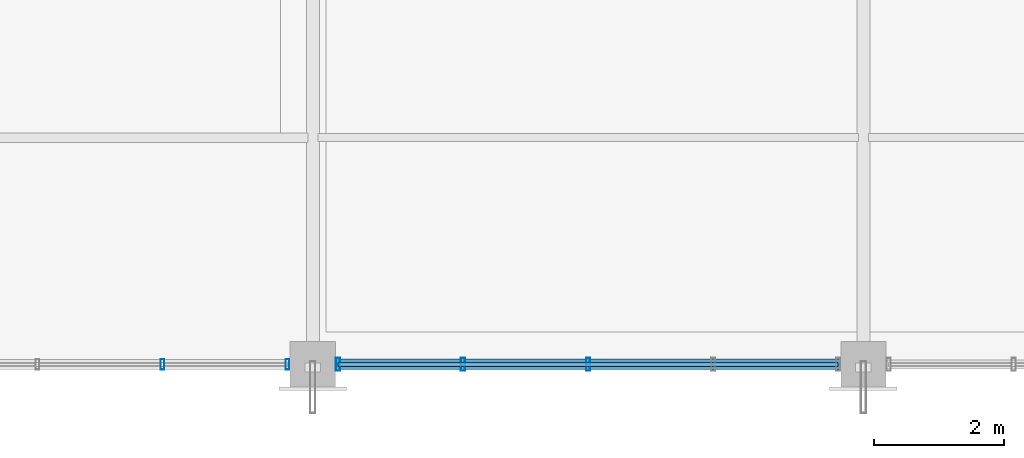
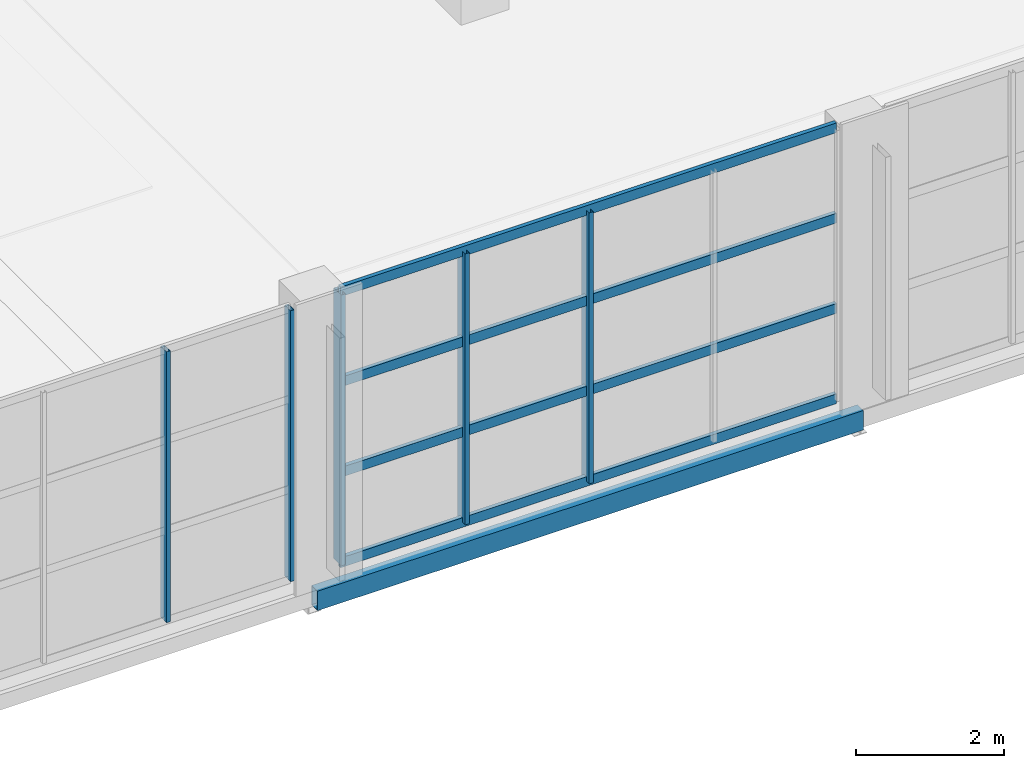
# One storey, part 10 of 101: 9 members, 1 beam, 2 elements without a shape of their own.
"""IFC4 building model written with IfcOpenShell, lengths in metres."""

from ifc_helpers import new_model, si_unit, direction, frame, origin, origin_2d, place, context, subcontext, project, spatial, hollow_rectangle, extrude, material, material_profile, profile_set, type_object, element, aggregate, save


model = new_model("IFC4")

# Units and contexts
model_context = context("Model", 3, precision=1e-05, world=origin(), true_north=direction((0.0, 1.0)))
body_context = subcontext(model_context, "Body", "Model", "MODEL_VIEW")
ifc_project = project(units=[si_unit("LENGTHUNIT", "METRE"), si_unit("AREAUNIT", "SQUARE_METRE"), si_unit("VOLUMEUNIT", "CUBIC_METRE"), si_unit("PLANEANGLEUNIT", "RADIAN"), si_unit("MASSUNIT", "GRAM", prefix="KILO")], contexts=[model_context])

# Site, building, storey
site_placement = place(None, origin())
site = spatial("IfcSite", under=ifc_project, at=site_placement, CompositionType="ELEMENT")
building_placement = place(site_placement, origin())
building = spatial("IfcBuilding", under=site, at=building_placement, Name="Solvikara Media Centre", CompositionType="ELEMENT")
storey_placement = place(building_placement, frame((0.0, 0.0, 10.199951171875)))
storey = spatial("IfcBuildingStorey", under=building, at=storey_placement, Name="L02", CompositionType="ELEMENT", Elevation=10.199951171875)

# Beam
ifc_material_1 = material(Name="Steel S355JR", Category="steel")
ifc_material_profile_1 = material_profile(ifc_material_1, hollow_rectangle(XDim=0.159912109375, YDim=0.320068359375, WallThickness=0.010009765625, at=origin_2d()), Name="RHS 320x160x10")
ifc_profile_set_1 = profile_set([ifc_material_profile_1], Name="Steel S355JR")
beam_type = type_object("IfcBeamType", Name="BM-45", PredefinedType="SPANDREL", material=ifc_profile_set_1)
beam_placement = place(storey_placement, frame((34.0, 0.0, -0.44189453125), z_axis=(1.0, 0.0, 0.0), x_axis=(0.0, 1.0, 0.0)))
element("IfcBeam", 1, at=beam_placement, inside=storey, type_object=beam_type, Name="B-L02-X0823", PredefinedType="SPANDREL", context=body_context, shape_type="SweptSolid", body=[
    extrude(hollow_rectangle(XDim=0.159912109375, YDim=0.320068359375, WallThickness=0.010009765625, at=origin_2d()), origin(), (0.0, 0.0, 1.0), 8.5),
])

# Curtain wall, members
ifc_material_2 = material(Name="Anodised aluminium EN AW-6063", Category="aluminium")
curtain_wall_type_1 = type_object("IfcCurtainWallType", Name="CW-04", PredefinedType="NOTDEFINED", material=ifc_material_2)
curtain_wall_1_placement = place(storey_placement, origin())
curtain_wall_1 = element("IfcCurtainWall", 2, at=curtain_wall_1_placement, inside=storey, type_object=curtain_wall_type_1, Name="CW-L02-V6S-1", PredefinedType="NOTDEFINED")
ifc_material_profile_2 = material_profile(ifc_material_2, hollow_rectangle(XDim=0.06494140625, YDim=0.199951171875, WallThickness=0.00390625, at=origin_2d()), Name="ALU-M 65x200x4")
ifc_profile_set_2 = profile_set([ifc_material_profile_2], Name="Anodised aluminium EN AW-6063")
member_type_1 = type_object("IfcMemberType", Name="MF-02", PredefinedType="MULLION", material=ifc_profile_set_2)
member_1_placement = place(storey_placement, frame((34.389892578125, 0.0, 0.02001953125), z_axis=(0.0, 0.0, 1.0), x_axis=(1.0, 0.0, 0.0)))
member_1 = element("IfcMember", 3, at=member_1_placement, type_object=member_type_1, Name="CW-L02-V6S-1-M00", PredefinedType="MULLION", context=body_context, shape_type="SweptSolid", body=[
    extrude(hollow_rectangle(XDim=0.06494140625, YDim=0.199951171875, WallThickness=0.00390625, at=origin_2d()), origin(), (0.0, 0.0, 1.0), 4.4599609375),
])
member_2_placement = place(storey_placement, frame((36.320068359375, 0.0, 0.02001953125), z_axis=(0.0, 0.0, 1.0), x_axis=(1.0, 0.0, 0.0)))
member_2 = element("IfcMember", 4, at=member_2_placement, type_object=member_type_1, Name="CW-L02-V6S-1-M01", PredefinedType="MULLION", context=body_context, shape_type="SweptSolid", body=[
    extrude(hollow_rectangle(XDim=0.06494140625, YDim=0.199951171875, WallThickness=0.00390625, at=origin_2d()), origin(), (0.0, 0.0, 1.0), 4.4599609375),
])
member_3_placement = place(storey_placement, frame((38.25, 0.0, 0.02001953125), z_axis=(0.0, 0.0, 1.0), x_axis=(1.0, 0.0, 0.0)))
member_3 = element("IfcMember", 5, at=member_3_placement, type_object=member_type_1, Name="CW-L02-V6S-1-M02", PredefinedType="MULLION", context=body_context, shape_type="SweptSolid", body=[
    extrude(hollow_rectangle(XDim=0.06494140625, YDim=0.199951171875, WallThickness=0.00390625, at=origin_2d()), origin(), (0.0, 0.0, 1.0), 4.4599609375),
])

curtain_wall_type_2 = type_object("IfcCurtainWallType", Name="CW-07", PredefinedType="NOTDEFINED", material=ifc_material_2)
curtain_wall_2_placement = place(storey_placement, origin())
curtain_wall_2 = element("IfcCurtainWall", 6, at=curtain_wall_2_placement, inside=storey, type_object=curtain_wall_type_2, Name="CW-L02-V1SE", PredefinedType="NOTDEFINED")
ifc_material_profile_3 = material_profile(ifc_material_2, hollow_rectangle(XDim=0.06005859375, YDim=0.159912109375, WallThickness=0.00341796875, at=origin_2d()), Name="ALU-M 60x160x3.5")
ifc_profile_set_3 = profile_set([ifc_material_profile_3], Name="Anodised aluminium EN AW-6063")
member_type_2 = type_object("IfcMemberType", Name="MF-04", PredefinedType="MULLION", material=ifc_profile_set_3)
member_4_placement = place(storey_placement, frame((31.679931640625, 0.0, 0.02001953125), z_axis=(0.0, 0.0, 1.0), x_axis=(1.0, 0.0, 0.0)))
member_4 = element("IfcMember", 7, at=member_4_placement, type_object=member_type_2, Name="CW-L02-V1SE-M03", PredefinedType="MULLION", context=body_context, shape_type="SweptSolid", body=[
    extrude(hollow_rectangle(XDim=0.06005859375, YDim=0.159912109375, WallThickness=0.00341796875, at=origin_2d()), origin(), (0.0, 0.0, 1.0), 4.4599609375),
])
member_5_placement = place(storey_placement, frame((33.610107421875, 0.0, 0.02001953125), z_axis=(0.0, 0.0, 1.0), x_axis=(1.0, 0.0, 0.0)))
member_5 = element("IfcMember", 8, at=member_5_placement, type_object=member_type_2, Name="CW-L02-V1SE-M04", PredefinedType="MULLION", context=body_context, shape_type="SweptSolid", body=[
    extrude(hollow_rectangle(XDim=0.06005859375, YDim=0.159912109375, WallThickness=0.00341796875, at=origin_2d()), origin(), (0.0, 0.0, 1.0), 4.4599609375),
])
aggregate(curtain_wall_2, [member_4, member_5])

# Member
ifc_material_profile_4 = material_profile(ifc_material_2, hollow_rectangle(XDim=0.06494140625, YDim=0.159912109375, WallThickness=0.00341796875, at=origin_2d()), Name="ALU-T 65x160x3.5")
ifc_profile_set_4 = profile_set([ifc_material_profile_4], Name="Anodised aluminium EN AW-6063")
member_type_3 = type_object("IfcMemberType", Name="MF-08", PredefinedType="USERDEFINED", material=ifc_profile_set_4)
member_6_placement = place(storey_placement, frame((34.389892578125, 0.0, 0.02001953125), z_axis=(1.0, 0.0, 0.0), x_axis=(0.0, 1.0, 0.0)))
member_6 = element("IfcMember", 9, at=member_6_placement, type_object=member_type_3, Name="CW-L02-V6S-1-T00", ObjectType="TRANSOM", PredefinedType="USERDEFINED", context=body_context, shape_type="SweptSolid", body=[
    extrude(hollow_rectangle(XDim=0.06494140625, YDim=0.159912109375, WallThickness=0.00341796875, at=origin_2d()), origin(), (0.0, 0.0, 1.0), 7.72021484375),
])

member_7_placement = place(storey_placement, frame((34.389892578125, 0.0, 1.507080078125), z_axis=(1.0, 0.0, 0.0), x_axis=(0.0, 1.0, 0.0)))
member_7 = element("IfcMember", 10, at=member_7_placement, type_object=member_type_3, Name="CW-L02-V6S-1-T01", ObjectType="TRANSOM", PredefinedType="USERDEFINED", context=body_context, shape_type="SweptSolid", body=[
    extrude(hollow_rectangle(XDim=0.06494140625, YDim=0.159912109375, WallThickness=0.00341796875, at=origin_2d()), origin(), (0.0, 0.0, 1.0), 7.72021484375),
])

member_8_placement = place(storey_placement, frame((34.389892578125, 0.0, 2.9931640625), z_axis=(1.0, 0.0, 0.0), x_axis=(0.0, 1.0, 0.0)))
member_8 = element("IfcMember", 11, at=member_8_placement, type_object=member_type_3, Name="CW-L02-V6S-1-T02", ObjectType="TRANSOM", PredefinedType="USERDEFINED", context=body_context, shape_type="SweptSolid", body=[
    extrude(hollow_rectangle(XDim=0.06494140625, YDim=0.159912109375, WallThickness=0.00341796875, at=origin_2d()), origin(), (0.0, 0.0, 1.0), 7.72021484375),
])

member_9_placement = place(storey_placement, frame((34.389892578125, 0.0, 4.47998046875), z_axis=(1.0, 0.0, 0.0), x_axis=(0.0, 1.0, 0.0)))
member_9 = element("IfcMember", 12, at=member_9_placement, type_object=member_type_3, Name="CW-L02-V6S-1-T03", ObjectType="TRANSOM", PredefinedType="USERDEFINED", context=body_context, shape_type="SweptSolid", body=[
    extrude(hollow_rectangle(XDim=0.06494140625, YDim=0.159912109375, WallThickness=0.00341796875, at=origin_2d()), origin(), (0.0, 0.0, 1.0), 7.72021484375),
])

aggregate(curtain_wall_1, [member_1, member_2, member_3, member_6, member_7, member_8, member_9])

save(model, "model.ifc")
